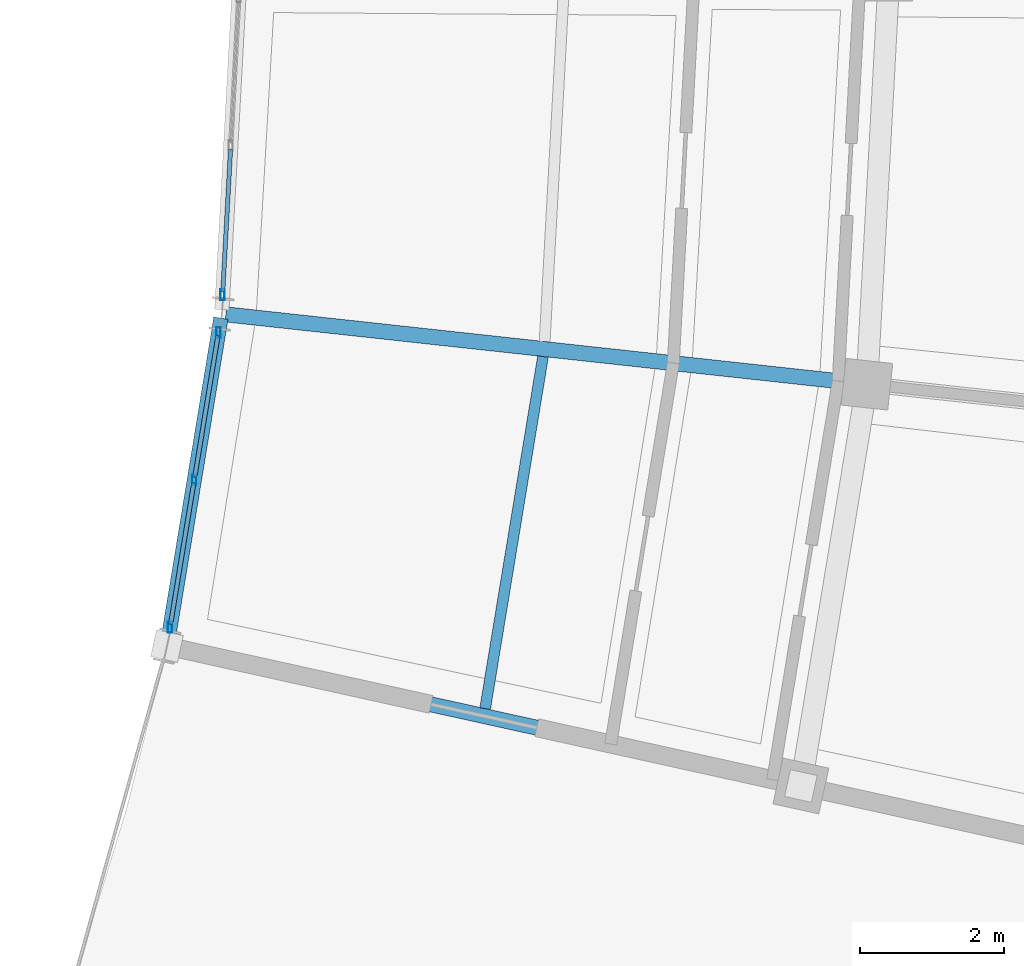
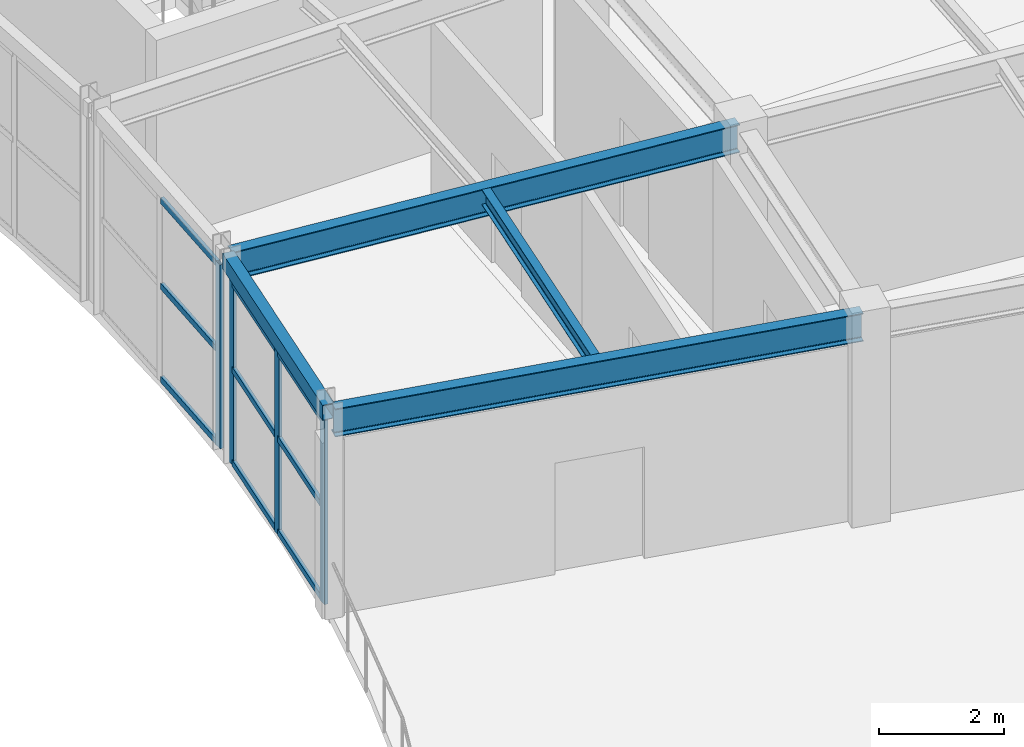
# One storey, part 29 of 63: 13 members, 4 beams, 2 elements without a shape of their own.
"""IFC4 building model written with IfcOpenShell, lengths in metres."""

from ifc_helpers import new_model, si_unit, direction, frame, origin, origin_2d, place, context, subcontext, project, spatial, hollow_rectangle, i_section, extrude, material, material_profile, profile_set, type_object, element, aggregate, save


model = new_model("IFC4")

# Units and contexts
model_context = context("Model", 3, precision=1e-05, world=origin(), true_north=direction((0.0, 1.0)))
body_context = subcontext(model_context, "Body", "Model", "MODEL_VIEW")
ifc_project = project(units=[si_unit("LENGTHUNIT", "METRE"), si_unit("AREAUNIT", "SQUARE_METRE"), si_unit("VOLUMEUNIT", "CUBIC_METRE"), si_unit("PLANEANGLEUNIT", "RADIAN"), si_unit("MASSUNIT", "GRAM", prefix="KILO")], contexts=[model_context])

# Site, building, storey
site_placement = place(None, origin())
site = spatial("IfcSite", under=ifc_project, at=site_placement, CompositionType="ELEMENT")
building_placement = place(site_placement, origin())
building = spatial("IfcBuilding", under=site, at=building_placement, Name="Tarnveldt Headland Concert Hall", CompositionType="ELEMENT")
storey_placement = place(building_placement, frame((0.0, 0.0, 14.39990234375)))
storey = spatial("IfcBuildingStorey", under=building, at=storey_placement, Name="L03", CompositionType="ELEMENT", Elevation=14.39990234375)

# Curtain wall, members
ifc_material_1 = material(Name="Marine-anodised aluminium EN AW-6063-T6", Category="aluminium")
curtain_wall_type = type_object("IfcCurtainWallType", Name="CW-C4", PredefinedType="NOTDEFINED", material=ifc_material_1)
curtain_wall_1_placement = place(storey_placement, origin())
curtain_wall_1 = element("IfcCurtainWall", 1, at=curtain_wall_1_placement, inside=storey, type_object=curtain_wall_type, Name="Curtain wall CW-L03-136", PredefinedType="NOTDEFINED")
ifc_material_profile_1 = material_profile(ifc_material_1, hollow_rectangle(XDim=0.06005859375, YDim=0.14990234375, WallThickness=0.00390625, at=origin_2d()), Name="ALU MULLION 60x150x4", Category="aluminium")
ifc_profile_set_1 = profile_set([ifc_material_profile_1], Name="Marine-anodised aluminium EN AW-6063-T6")
member_type_1 = type_object("IfcMemberType", Name="ML-150", PredefinedType="MULLION", material=ifc_profile_set_1)
member_1_placement = place(storey_placement, frame((159.53271484375, 50.995361328125, 0.0), z_axis=(0.0, 0.0, 1.0), x_axis=(1.0, 0.0, 0.0)))
member_1 = element("IfcMember", 2, at=member_1_placement, type_object=member_type_1, Name="Mullion CW-L03-136-1", PredefinedType="MULLION", context=body_context, shape_type="SweptSolid", body=[
    extrude(hollow_rectangle(XDim=0.06005859375, YDim=0.14990234375, WallThickness=0.00390625, at=origin_2d()), origin(), (0.0, 0.0, 1.0), 3.60009765625),
])
member_2_placement = place(storey_placement, frame((159.8681640625, 53.03662109375, 0.0), z_axis=(0.0, 0.0, 1.0), x_axis=(1.0, 0.0, 0.0)))
member_2 = element("IfcMember", 3, at=member_2_placement, type_object=member_type_1, Name="Mullion CW-L03-136-2", PredefinedType="MULLION", context=body_context, shape_type="SweptSolid", body=[
    extrude(hollow_rectangle(XDim=0.06005859375, YDim=0.14990234375, WallThickness=0.00390625, at=origin_2d()), origin(), (0.0, 0.0, 1.0), 3.60009765625),
])
member_3_placement = place(storey_placement, frame((160.20361328125, 55.077880859375, 0.0), z_axis=(0.0, 0.0, 1.0), x_axis=(1.0, 0.0, 0.0)))
member_3 = element("IfcMember", 4, at=member_3_placement, type_object=member_type_1, Name="Mullion CW-L03-136-3", PredefinedType="MULLION", context=body_context, shape_type="SweptSolid", body=[
    extrude(hollow_rectangle(XDim=0.06005859375, YDim=0.14990234375, WallThickness=0.00390625, at=origin_2d()), origin(), (0.0, 0.0, 1.0), 3.60009765625),
])

# Curtain wall, member
curtain_wall_2_placement = place(storey_placement, origin())
curtain_wall_2 = element("IfcCurtainWall", 5, at=curtain_wall_2_placement, inside=storey, type_object=curtain_wall_type, Name="Curtain wall CW-L03-137", PredefinedType="NOTDEFINED")
member_4_placement = place(storey_placement, frame((160.260986328125, 55.60400390625, 0.0), z_axis=(0.0, 0.0, 1.0), x_axis=(1.0, 0.0, 0.0)))
member_4 = element("IfcMember", 6, at=member_4_placement, type_object=member_type_1, Name="Mullion CW-L03-137-1", PredefinedType="MULLION", context=body_context, shape_type="SweptSolid", body=[
    extrude(hollow_rectangle(XDim=0.06005859375, YDim=0.14990234375, WallThickness=0.00390625, at=origin_2d()), origin(), (0.0, 0.0, 1.0), 3.60009765625),
])

# Beams
ifc_material_2 = material(Name="Steel S355", Category="steel")
ifc_material_profile_2 = material_profile(ifc_material_2, i_section(OverallWidth=0.14990234375, OverallDepth=0.300048828125, WebThickness=0.007080078125, FlangeThickness=0.0107421875, FilletRadius=0.014892578125, at=origin_2d()), Name="IPE300", Category="steel")
ifc_profile_set_2 = profile_set([ifc_material_profile_2], Name="Steel S355")
beam_type_1 = type_object("IfcBeamType", Name="SB-IPE300", PredefinedType="JOIST", material=ifc_profile_set_2)
beam_1_placement = place(storey_placement, frame((163.90087890625, 49.86767578125, 3.85498046875), z_axis=(0.162205283483, 0.986757034943, 0.0), x_axis=(-0.986757034943, 0.162205283483, 0.0)))
element("IfcBeam", 7, at=beam_1_placement, inside=storey, type_object=beam_type_1, Name="Framing beam L03-1257", PredefinedType="JOIST", context=body_context, shape_type="SweptSolid", body=[
    extrude(i_section(OverallWidth=0.14990234375, OverallDepth=0.300048828125, WebThickness=0.007080078125, FlangeThickness=0.0107421875, FilletRadius=0.014892578125, at=origin_2d()), origin(), (0.0, 0.0, 1.0), 4.94580078125),
])
ifc_material_profile_3 = material_profile(ifc_material_2, i_section(OverallWidth=0.2099609375, OverallDepth=0.550048828125, WebThickness=0.010986328125, FlangeThickness=0.01708984375, FilletRadius=0.02392578125, at=origin_2d()), Name="IPE550", Category="steel")
ifc_profile_set_3 = profile_set([ifc_material_profile_3], Name="Steel S355")
beam_type_2 = type_object("IfcBeamType", Name="SB-IPE550", PredefinedType="BEAM", material=ifc_profile_set_3)
beam_2_placement = place(storey_placement, frame((159.54833984375, 50.720947265625, 3.72998046875), z_axis=(0.976505569656, -0.215492163268, 0.0), x_axis=(0.215492163268, 0.976505569656, 0.0)))
element("IfcBeam", 8, at=beam_2_placement, inside=storey, type_object=beam_type_2, Name="Framing beam L03-1252", PredefinedType="BEAM", context=body_context, shape_type="SweptSolid", body=[
    extrude(i_section(OverallWidth=0.2099609375, OverallDepth=0.550048828125, WebThickness=0.010986328125, FlangeThickness=0.01708984375, FilletRadius=0.02392578125, at=origin_2d()), origin(), (0.0, 0.0, 1.0), 8.880126953125),
])
beam_3_placement = place(storey_placement, frame((160.306396484375, 55.3330078125, 3.72998046875), z_axis=(0.994109611255, -0.108379337562, 0.0), x_axis=(0.108379337562, 0.994109611255, 0.0)))
element("IfcBeam", 9, at=beam_3_placement, inside=storey, type_object=beam_type_2, Name="Framing beam L03-1259", PredefinedType="BEAM", context=body_context, shape_type="SweptSolid", body=[
    extrude(i_section(OverallWidth=0.2099609375, OverallDepth=0.550048828125, WebThickness=0.010986328125, FlangeThickness=0.01708984375, FilletRadius=0.02392578125, at=origin_2d()), origin(), (0.0, 0.0, 1.0), 8.8798828125),
])
ifc_material_profile_4 = material_profile(ifc_material_2, hollow_rectangle(XDim=0.199951171875, YDim=0.300048828125, WallThickness=0.012451171875, at=origin_2d()), Name="RHS 300x200x12.5", Category="steel")
ifc_profile_set_4 = profile_set([ifc_material_profile_4], Name="Steel S355")
beam_type_3 = type_object("IfcBeamType", Name="SB-RHS300", PredefinedType="SPANDREL", material=ifc_profile_set_4)
beam_4_placement = place(storey_placement, frame((159.49951171875, 50.79296875, 3.85498046875), z_axis=(0.162187266023, 0.986759996524, 0.0), x_axis=(-0.986759996524, 0.162187266023, 0.0)))
element("IfcBeam", 10, at=beam_4_placement, inside=storey, type_object=beam_type_3, Name="Framing beam L03-1254", PredefinedType="SPANDREL", context=body_context, shape_type="SweptSolid", body=[
    extrude(hollow_rectangle(XDim=0.199951171875, YDim=0.300048828125, WallThickness=0.012451171875, at=origin_2d()), origin(), (0.0, 0.0, 1.0), 4.547607421875),
])

# Member
ifc_material_profile_5 = material_profile(ifc_material_1, hollow_rectangle(XDim=0.06005859375, YDim=0.1201171875, WallThickness=0.00390625, at=origin_2d()), Name="ALU TRANSOM 60x120x4", Category="aluminium")
ifc_profile_set_5 = profile_set([ifc_material_profile_5], Name="Marine-anodised aluminium EN AW-6063-T6")
member_type_2 = type_object("IfcMemberType", Name="TR-110", PredefinedType="MEMBER", material=ifc_profile_set_5)
member_5_placement = place(storey_placement, frame((159.53955078125, 51.03662109375, 0.050048828125), z_axis=(0.162124564427, 0.986770300328, 0.0), x_axis=(-0.986770300328, 0.162124564427, 0.0)))
member_5 = element("IfcMember", 11, at=member_5_placement, type_object=member_type_2, Name="Transom CW-L03-136-1-1", PredefinedType="MEMBER", context=body_context, shape_type="SweptSolid", body=[
    extrude(hollow_rectangle(XDim=0.06005859375, YDim=0.1201171875, WallThickness=0.00390625, at=origin_2d()), origin(), (0.0, 0.0, 1.0), 1.98486328125),
])

member_6_placement = place(storey_placement, frame((159.53955078125, 51.03662109375, 1.8720703125), z_axis=(0.162124564427, 0.986770300328, 0.0), x_axis=(-0.986770300328, 0.162124564427, 0.0)))
member_6 = element("IfcMember", 12, at=member_6_placement, type_object=member_type_2, Name="Transom CW-L03-136-1-2", PredefinedType="MEMBER", context=body_context, shape_type="SweptSolid", body=[
    extrude(hollow_rectangle(XDim=0.06005859375, YDim=0.1201171875, WallThickness=0.00390625, at=origin_2d()), origin(), (0.0, 0.0, 1.0), 1.98486328125),
])

member_7_placement = place(storey_placement, frame((159.53955078125, 51.03662109375, 3.550048828125), z_axis=(0.162124564427, 0.986770300328, 0.0), x_axis=(-0.986770300328, 0.162124564427, 0.0)))
member_7 = element("IfcMember", 13, at=member_7_placement, type_object=member_type_2, Name="Transom CW-L03-136-1-3", PredefinedType="MEMBER", context=body_context, shape_type="SweptSolid", body=[
    extrude(hollow_rectangle(XDim=0.06005859375, YDim=0.1201171875, WallThickness=0.00390625, at=origin_2d()), origin(), (0.0, 0.0, 1.0), 1.98486328125),
])

member_8_placement = place(storey_placement, frame((159.875, 53.077880859375, 0.050048828125), z_axis=(0.162224645489, 0.986753851979, 0.0), x_axis=(-0.986753851979, 0.162224645489, 0.0)))
member_8 = element("IfcMember", 14, at=member_8_placement, type_object=member_type_2, Name="Transom CW-L03-136-2-1", PredefinedType="MEMBER", context=body_context, shape_type="SweptSolid", body=[
    extrude(hollow_rectangle(XDim=0.06005859375, YDim=0.1201171875, WallThickness=0.00390625, at=origin_2d()), origin(), (0.0, 0.0, 1.0), 1.985107421875),
])

member_9_placement = place(storey_placement, frame((159.875, 53.077880859375, 1.8720703125), z_axis=(0.162224645489, 0.986753851979, 0.0), x_axis=(-0.986753851979, 0.162224645489, 0.0)))
member_9 = element("IfcMember", 15, at=member_9_placement, type_object=member_type_2, Name="Transom CW-L03-136-2-2", PredefinedType="MEMBER", context=body_context, shape_type="SweptSolid", body=[
    extrude(hollow_rectangle(XDim=0.06005859375, YDim=0.1201171875, WallThickness=0.00390625, at=origin_2d()), origin(), (0.0, 0.0, 1.0), 1.985107421875),
])

member_10_placement = place(storey_placement, frame((159.875, 53.077880859375, 3.550048828125), z_axis=(0.162224645489, 0.986753851979, 0.0), x_axis=(-0.986753851979, 0.162224645489, 0.0)))
member_10 = element("IfcMember", 16, at=member_10_placement, type_object=member_type_2, Name="Transom CW-L03-136-2-3", PredefinedType="MEMBER", context=body_context, shape_type="SweptSolid", body=[
    extrude(hollow_rectangle(XDim=0.06005859375, YDim=0.1201171875, WallThickness=0.00390625, at=origin_2d()), origin(), (0.0, 0.0, 1.0), 1.985107421875),
])

aggregate(curtain_wall_1, [member_1, member_2, member_3, member_5, member_6, member_7, member_8, member_9, member_10])

member_11_placement = place(storey_placement, frame((160.263427734375, 55.64599609375, 0.050048828125), z_axis=(0.054250408618, 0.998527362251, 0.0), x_axis=(-0.998527362251, 0.054250408618, 0.0)))
member_11 = element("IfcMember", 17, at=member_11_placement, type_object=member_type_2, Name="Transom CW-L03-137-1-1", PredefinedType="MEMBER", context=body_context, shape_type="SweptSolid", body=[
    extrude(hollow_rectangle(XDim=0.06005859375, YDim=0.1201171875, WallThickness=0.00390625, at=origin_2d()), origin(), (0.0, 0.0, 1.0), 1.984619140625),
])

member_12_placement = place(storey_placement, frame((160.263427734375, 55.64599609375, 1.8720703125), z_axis=(0.054250408618, 0.998527362251, 0.0), x_axis=(-0.998527362251, 0.054250408618, 0.0)))
member_12 = element("IfcMember", 18, at=member_12_placement, type_object=member_type_2, Name="Transom CW-L03-137-1-2", PredefinedType="MEMBER", context=body_context, shape_type="SweptSolid", body=[
    extrude(hollow_rectangle(XDim=0.06005859375, YDim=0.1201171875, WallThickness=0.00390625, at=origin_2d()), origin(), (0.0, 0.0, 1.0), 1.984619140625),
])

member_13_placement = place(storey_placement, frame((160.263427734375, 55.64599609375, 3.550048828125), z_axis=(0.054250408618, 0.998527362251, 0.0), x_axis=(-0.998527362251, 0.054250408618, 0.0)))
member_13 = element("IfcMember", 19, at=member_13_placement, type_object=member_type_2, Name="Transom CW-L03-137-1-3", PredefinedType="MEMBER", context=body_context, shape_type="SweptSolid", body=[
    extrude(hollow_rectangle(XDim=0.06005859375, YDim=0.1201171875, WallThickness=0.00390625, at=origin_2d()), origin(), (0.0, 0.0, 1.0), 1.984619140625),
])

aggregate(curtain_wall_2, [member_4, member_11, member_12, member_13])

save(model, "model.ifc")
